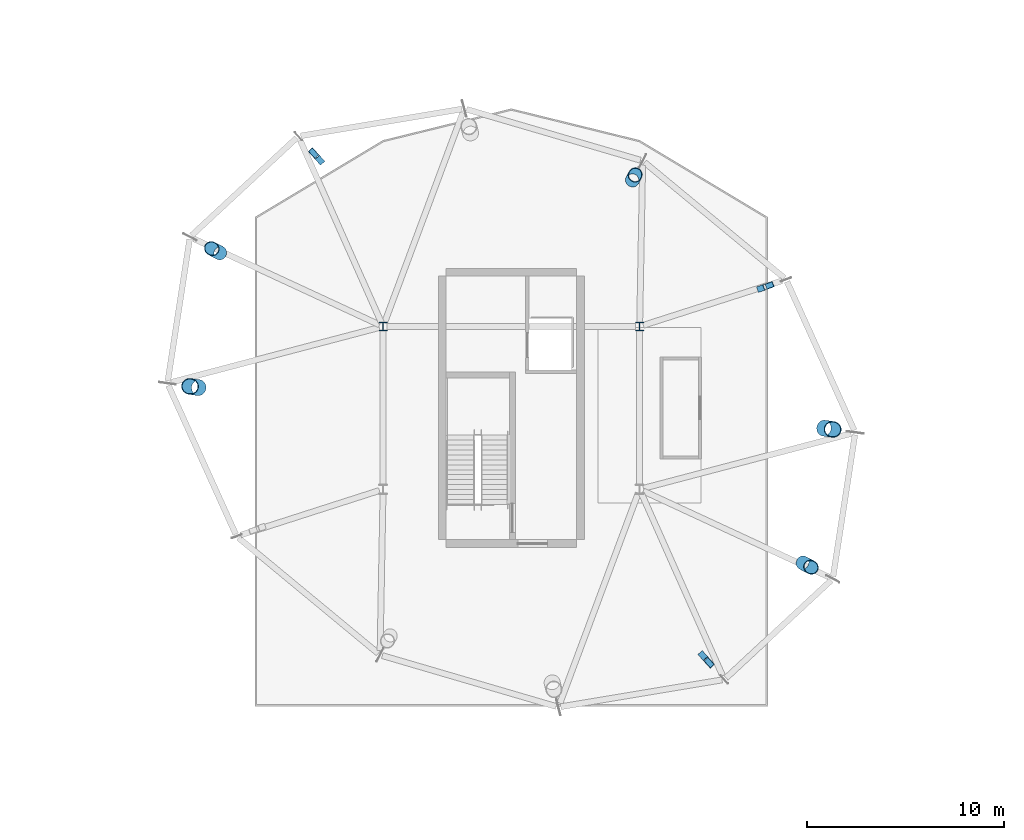
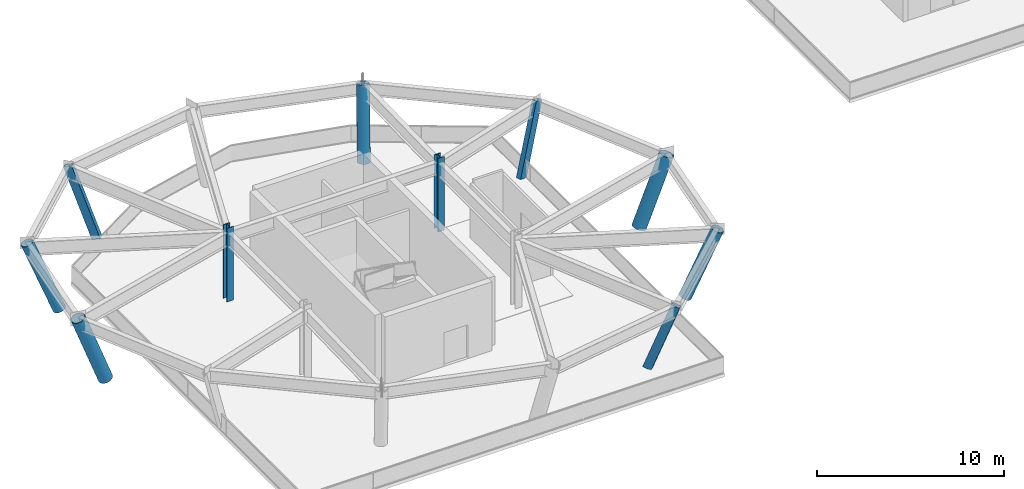
# One storey, part 14 of 91: 10 columns.
"""IFC4 building model written with IfcOpenShell, lengths in metres."""

from ifc_helpers import new_model, si_unit, direction, frame, origin, origin_2d, place, context, subcontext, project, spatial, hollow_rectangle, hollow_circle, i_section, extrude, material, material_profile, profile_set, type_object, element, save


model = new_model("IFC4")

# Units and contexts
model_context = context("Model", 3, precision=1e-05, world=origin(), true_north=direction((0.0, 1.0)))
body_context = subcontext(model_context, "Body", "Model", "MODEL_VIEW")
ifc_project = project(units=[si_unit("LENGTHUNIT", "METRE"), si_unit("AREAUNIT", "SQUARE_METRE"), si_unit("VOLUMEUNIT", "CUBIC_METRE"), si_unit("PLANEANGLEUNIT", "RADIAN"), si_unit("MASSUNIT", "GRAM", prefix="KILO")], contexts=[model_context])

# Site, building, storey
site_placement = place(None, origin())
site = spatial("IfcSite", under=ifc_project, at=site_placement, CompositionType="ELEMENT")
building_placement = place(site_placement, origin())
building = spatial("IfcBuilding", under=site, at=building_placement, Name="Linyun Crest Stadium", CompositionType="ELEMENT")
storey_placement = place(building_placement, frame((0.0, 0.0, 11.39990234375)))
storey = spatial("IfcBuildingStorey", under=building, at=storey_placement, Name="L03", CompositionType="ELEMENT", Elevation=11.39990234375)

# Columns
ifc_material_1 = material(Name="Steel Q355C", Category="steel")
ifc_material_profile_1 = material_profile(ifc_material_1, i_section(OverallWidth=0.406982421875, OverallDepth=0.427978515625, WebThickness=0.02001953125, FlangeThickness=0.034912109375, at=origin_2d()), Name="HW 428x407")
ifc_profile_set_1 = profile_set([ifc_material_profile_1], Name="Steel Q355C")
column_type_1 = type_object("IfcColumnType", Name="SC03", PredefinedType="COLUMN", material=ifc_profile_set_1)
for number, where, z_axis, x_axis, name in (
    (1, (-80.0, 88.75, 0.0), (0.0, 0.0, 1.0), (1.0, 0.0, 0.0), "Column SC03 L03 811"),
    (2, (-67.0, 88.75, 0.0), (0.0, 0.0, 1.0), (1.0, 0.0, 0.0), "Column SC03 L03 818"),
):
    element("IfcColumn", number, at=place(storey_placement, frame(where, z_axis=z_axis, x_axis=x_axis)), inside=storey, type_object=column_type_1, Name=name, PredefinedType="COLUMN", context=body_context, shape_type="SweptSolid", body=[
        extrude(i_section(OverallWidth=0.406982421875, OverallDepth=0.427978515625, WebThickness=0.02001953125, FlangeThickness=0.034912109375, at=origin_2d()), origin(), (0.0, 0.0, 1.0), 4.798095703125),
    ])
ifc_material_2 = material(Name="Steel Q420C", Category="steel")
ifc_material_profile_2 = material_profile(ifc_material_2, hollow_circle(Radius=0.35546875, WallThickness=0.031982421875, at=origin_2d()), Name="CHS 711x32")
ifc_profile_set_2 = profile_set([ifc_material_profile_2], Name="Steel Q420C")
column_type_2 = type_object("IfcColumnType", Name="VL01", PredefinedType="PILASTER", material=ifc_profile_set_2)
column_1_placement = place(storey_placement, frame((-58.73388671875, 76.77392578125, 0.002197265625), z_axis=(0.325728605104, -0.173105368737, 0.929481257009), x_axis=(0.46928640615, 0.883046017489, 0.0)))
element("IfcColumn", 3, at=column_1_placement, inside=storey, type_object=column_type_2, Name="Inclined V-leg pier VL01 3", PredefinedType="PILASTER", context=body_context, shape_type="SweptSolid", body=[
    extrude(hollow_circle(Radius=0.35546875, WallThickness=0.031982421875, at=origin_2d()), origin(), (0.0, 0.0, 1.0), 4.672607421875),
])
column_2_placement = place(storey_placement, frame((-67.363037109375, 96.1669921875, 0.002197265625), z_axis=(0.11451517366, 0.21575478996, 0.969709309851), x_axis=(-0.883293009091, 0.468821351999, 0.0)))
element("IfcColumn", 4, at=column_2_placement, inside=storey, type_object=column_type_2, Name="Inclined V-leg pier VL01 12", PredefinedType="PILASTER", context=body_context, shape_type="SweptSolid", body=[
    extrude(hollow_circle(Radius=0.35546875, WallThickness=0.031982421875, at=origin_2d()), origin(), (0.0, 0.0, 1.0), 4.52392578125),
])
column_3_placement = place(storey_placement, frame((-88.26611328125, 92.47607421875, 0.002197265625), z_axis=(-0.325728605104, 0.173105368737, 0.929481257009), x_axis=(-0.46928640615, -0.883046017489, 0.0)))
element("IfcColumn", 5, at=column_3_placement, inside=storey, type_object=column_type_2, Name="Inclined V-leg pier VL01 21", PredefinedType="PILASTER", context=body_context, shape_type="SweptSolid", body=[
    extrude(hollow_circle(Radius=0.35546875, WallThickness=0.031982421875, at=origin_2d()), origin(), (0.0, 0.0, 1.0), 4.672607421875),
])
ifc_material_3 = material(Name="Steel Q420C", Category="steel")
ifc_material_profile_3 = material_profile(ifc_material_3, hollow_circle(Radius=0.406494140625, WallThickness=0.035888671875, at=origin_2d()), Name="CHS 813x36")
ifc_profile_set_3 = profile_set([ifc_material_profile_3], Name="Steel Q420C")
column_type_3 = type_object("IfcColumnType", Name="VL02", PredefinedType="PILASTER", material=ifc_profile_set_3)
for number, where, z_axis, x_axis, name in (
    (6, (-57.64404296875, 83.595947265625, 0.002197265625), (0.340417562814, -0.047028937582, 0.939097525264), (0.136850967353, 0.990591647822, 0.0), "Inclined V-leg pier VL02 6"),
    (7, (-89.35595703125, 85.654052734375, 0.002197265625), (-0.340417562814, 0.047028937582, 0.939097525264), (-0.136850967353, -0.990591647822, 0.0), "Inclined V-leg pier VL02 24"),
):
    element("IfcColumn", number, at=place(storey_placement, frame(where, z_axis=z_axis, x_axis=x_axis)), inside=storey, type_object=column_type_3, Name=name, PredefinedType="PILASTER", context=body_context, shape_type="SweptSolid", body=[
        extrude(hollow_circle(Radius=0.406494140625, WallThickness=0.035888671875, at=origin_2d()), origin(), (0.0, 0.0, 1.0), 4.614990234375),
    ])
ifc_material_4 = material(Name="Steel Q420C", Category="steel")
ifc_material_profile_4 = material_profile(ifc_material_4, hollow_rectangle(XDim=0.300048828125, YDim=0.5, WallThickness=0.02001953125, at=origin_2d()), Name="RHS 500x300x20")
ifc_profile_set_4 = profile_set([ifc_material_profile_4], Name="Steel Q420C")
column_type_4 = type_object("IfcColumnType", Name="VL03", PredefinedType="PILASTER", material=ifc_profile_set_4)
column_4_placement = place(storey_placement, frame((-60.802001953125, 90.695068359375, 0.002197265625), z_axis=(0.26620321345, 0.095418294691, 0.959182567704), x_axis=(-0.337420415701, 0.941354058295, 0.0)))
element("IfcColumn", 8, at=column_4_placement, inside=storey, type_object=column_type_4, Name="Inclined V-leg pier VL03 9", PredefinedType="PILASTER", context=body_context, shape_type="SweptSolid", body=[
    extrude(hollow_rectangle(XDim=0.300048828125, YDim=0.5, WallThickness=0.02001953125, at=origin_2d()), origin(), (0.0, 0.0, 1.0), 4.590087890625),
])
for number, where, z_axis, x_axis, name in (
    (9, (-83.218994140625, 97.196044921875, 0.002197265625), (-0.229436435248, 0.255771202583, 0.939116613691), (-0.744389574393, -0.667745581442, 0.0), "Inclined V-leg pier VL03 18"),
    (10, (-63.781005859375, 72.053955078125, 0.002197265625), (0.229436435248, -0.255771202583, 0.939116613691), (0.744389574393, 0.667745581442, 0.0), "Inclined V-leg pier VL03 36"),
):
    element("IfcColumn", number, at=place(storey_placement, frame(where, z_axis=z_axis, x_axis=x_axis)), inside=storey, type_object=column_type_4, Name=name, PredefinedType="PILASTER", context=body_context, shape_type="SweptSolid", body=[
        extrude(hollow_rectangle(XDim=0.300048828125, YDim=0.5, WallThickness=0.02001953125, at=origin_2d()), origin(), (0.0, 0.0, 1.0), 4.67236328125),
    ])

save(model, "model.ifc")
